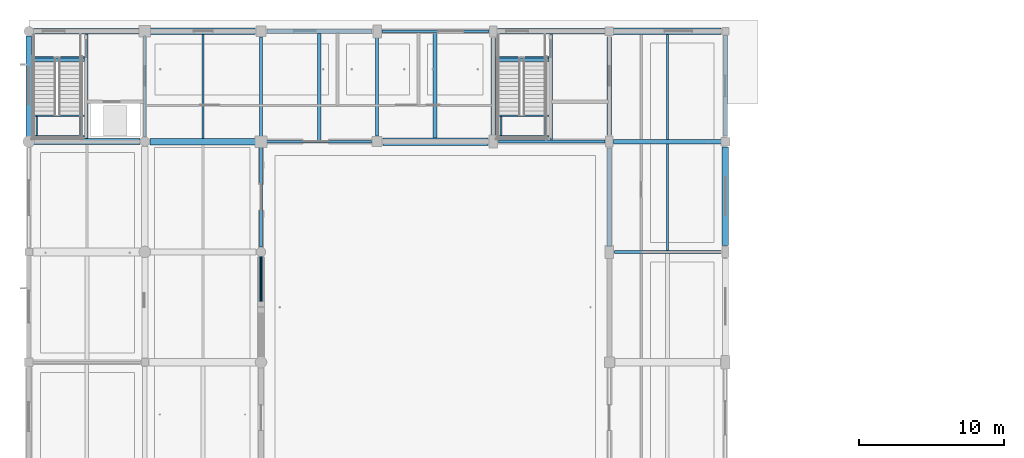
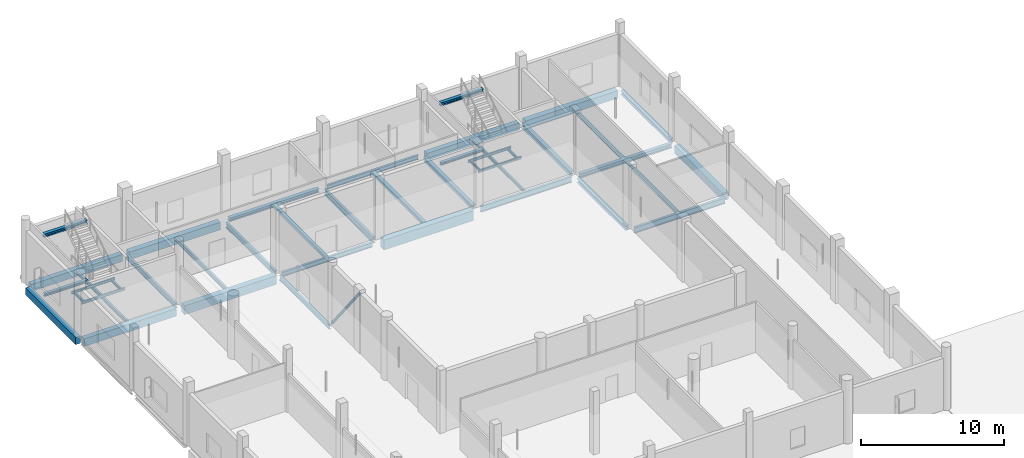
# One storey, part 28 of 126: 42 beams, 1 member.
"""IFC4 building model written with IfcOpenShell, lengths in metres."""

import ifcopenshell
import ifcopenshell.guid

model = None  # the IFC model being written
_history = None  # IfcOwnerHistory: only IFC2X3 demands one
_inside = {}  # id of a spatial element -> (the spatial element, [elements in it])
_under = {}  # id of a project, library or spatial element -> (it, [spatial elements below it])
_declared = {}  # id of a project -> (the project, [libraries it declares])
_typed = {}  # id of a type object -> (the type object, [elements of that type])
_made_of = {}  # id of a material, layer set ... -> (it, [elements and type objects made of it])


def new_model(schema):
    """Start an empty IFC model of exactly this schema.

    Asked for "IFC4X3", IfcOpenShell would pick the latest addendum, in which some entities
    have other attributes; the version numbers below select the first issue.
    IFC2X3 requires an IfcOwnerHistory on every rooted entity: one is made here for all.
    """
    global model, _history
    if schema == "IFC4X3":
        model = ifcopenshell.file(schema_version=(4, 3, 0, 0))
    else:
        model = ifcopenshell.file(schema=schema)
    _inside.clear()
    _under.clear()
    _declared.clear()
    _typed.clear()
    _made_of.clear()
    _history = None
    if model.schema == "IFC2X3":
        org = make("IfcOrganization", Name="unknown")
        user = make(
            "IfcPersonAndOrganization",
            ThePerson=make("IfcPerson", FamilyName="unknown"),
            TheOrganization=org,
        )
        app = make(
            "IfcApplication",
            ApplicationDeveloper=org,
            Version="unknown",
            ApplicationFullName="unknown",
            ApplicationIdentifier="unknown",
        )
        _history = make(
            "IfcOwnerHistory",
            OwningUser=user,
            OwningApplication=app,
            ChangeAction="ADDED",
            CreationDate=0,
        )
    return model


def make(cls, **values):
    """One entity of the class cls with the attributes given. An attribute that is None is left unset."""
    return model.create_entity(
        cls, **{name: value for name, value in values.items() if value is not None}
    )


def rooted(cls, **values):
    """An entity with a GlobalId (a new one), such as an element, a storey or a relation."""
    return make(cls, GlobalId=ifcopenshell.guid.new(), OwnerHistory=_history, **values)


def si_unit(unit_type, name, prefix=None):
    """IfcSIUnit, for example si_unit("LENGTHUNIT", "METRE", prefix="MILLI")."""
    return make("IfcSIUnit", UnitType=unit_type, Prefix=prefix, Name=name)


def assignment(units):
    """IfcUnitAssignment: the units of a project."""
    return None if units is None else make("IfcUnitAssignment", Units=units)


def point(xyz):
    """IfcCartesianPoint."""
    return None if xyz is None else make("IfcCartesianPoint", Coordinates=xyz)


def direction(xyz):
    """IfcDirection."""
    return None if xyz is None else make("IfcDirection", DirectionRatios=xyz)


def frame(location, z_axis=None, x_axis=None):
    """IfcAxis2Placement3D, a coordinate frame: its origin and axes. An axis left out is left unset."""
    return make(
        "IfcAxis2Placement3D",
        Location=point(location),
        Axis=direction(z_axis),
        RefDirection=direction(x_axis),
    )


def frame_2d(location, x_axis=None):
    """IfcAxis2Placement2D, a coordinate frame in the plane: its origin and x axis."""
    return make(
        "IfcAxis2Placement2D", Location=point(location), RefDirection=direction(x_axis)
    )


def origin():
    """The frame at (0, 0, 0) with its axes left unset."""
    return frame((0.0, 0.0, 0.0))


def origin_2d():
    """The frame at (0, 0) in the plane with its x axis left unset."""
    return frame_2d((0.0, 0.0))


def place(relative_to, where):
    """IfcLocalPlacement: puts the frame where relative to a parent placement (None: the world)."""
    return make(
        "IfcLocalPlacement", PlacementRelTo=relative_to, RelativePlacement=where
    )


def context(
    kind, dimensions, precision=None, world=None, true_north=None, identifier=None
):
    """IfcGeometricRepresentationContext, for example the 3D "Model" context."""
    return make(
        "IfcGeometricRepresentationContext",
        ContextIdentifier=identifier,
        ContextType=kind,
        CoordinateSpaceDimension=dimensions,
        Precision=precision,
        WorldCoordinateSystem=world,
        TrueNorth=true_north,
    )


def subcontext(parent, identifier, kind, view, scale=None):
    """IfcGeometricRepresentationSubContext, for example "Body" below "Model"."""
    return make(
        "IfcGeometricRepresentationSubContext",
        ContextIdentifier=identifier,
        ContextType=kind,
        ParentContext=parent,
        TargetScale=scale,
        TargetView=view,
    )


def project(units=None, contexts=None):
    """IfcProject with its units and contexts."""
    return rooted(
        "IfcProject",
        Name="project",
        RepresentationContexts=contexts,
        UnitsInContext=assignment(units),
    )


def spatial(cls, under=None, at=None, **own):
    """A site, building, storey or space (cls), placed at a placement, below another one or the project."""
    s = rooted(cls, ObjectPlacement=at, **own)
    if under is not None:
        _under.setdefault(under.id(), (under, []))[1].append(s)
    return s


def profile(cls, at=None, kind="AREA", **sizes):
    """A parametric profile (cls). Its sizes go by their IFC names, for example OverallWidth=200.0."""
    return make(cls, ProfileType=kind, Position=at, **sizes)


def rectangle(**sizes):
    """IfcRectangleProfileDef."""
    return profile("IfcRectangleProfileDef", **sizes)


def hollow_circle(**sizes):
    """IfcCircleHollowProfileDef."""
    return profile("IfcCircleHollowProfileDef", **sizes)


def i_section(**sizes):
    """IfcIShapeProfileDef."""
    return profile("IfcIShapeProfileDef", **sizes)


def extrude(swept, where, along, depth):
    """IfcExtrudedAreaSolid: the profile swept, set in the frame where, extruded along a direction by depth."""
    return make(
        "IfcExtrudedAreaSolid",
        SweptArea=swept,
        Position=where,
        ExtrudedDirection=direction(along),
        Depth=depth,
    )


def shape(context_of_items, identifier, shape_type, items):
    """IfcShapeRepresentation: the items that make up one representation, for example the "Body"."""
    return make(
        "IfcShapeRepresentation",
        ContextOfItems=context_of_items,
        RepresentationIdentifier=identifier,
        RepresentationType=shape_type,
        Items=items,
    )


def material(Name=None, Category=None):
    """IfcMaterial."""
    return make("IfcMaterial", Name=Name, Category=Category)


def material_profile(
    of_material, cross_section, Name=None, Category=None, Priority=None
):
    """IfcMaterialProfile: a cross section and its material."""
    return make(
        "IfcMaterialProfile",
        Name=Name,
        Material=of_material,
        Profile=cross_section,
        Priority=Priority,
        Category=Category,
    )


def profile_set(profiles, Name=None, composite=None):
    """IfcMaterialProfileSet."""
    return make(
        "IfcMaterialProfileSet",
        Name=Name,
        MaterialProfiles=profiles,
        CompositeProfile=composite,
    )


def made_of(thing, what):
    """Note that an element or type object is made of a material, layer set ...; save() writes the relation."""
    if what is not None:
        _made_of.setdefault(what.id(), (what, []))[1].append(thing)
    return thing


def type_object(cls, material=None, **own):
    """A type object (cls), such as IfcWallType, which elements share."""
    return made_of(rooted(cls, **own), material)


def element(
    cls,
    number,
    at=None,
    inside=None,
    cuts=None,
    type_object=None,
    material=None,
    context=None,
    identifier="Body",
    shape_type=None,
    held_by="IfcProductDefinitionShape",
    body=None,
    shapes=None,
    **own,
):
    """One element of the class cls, such as IfcWall. Its Tag is "e" and its number.

    at: its placement. inside: the storey or other place that contains it. cuts: it is an
    opening in that element (IfcRelVoidsElement). A single representation is given by context,
    identifier, shape_type and body (its items); several are given by shapes. held_by: the class
    of the entity that holds the representations. save() writes the other relations.
    """
    e = rooted(cls, Tag="e%d" % number, ObjectPlacement=at, **own)
    if body is not None:
        shapes = [shape(context, identifier, shape_type, body)]
    if shapes is not None:
        e.Representation = make(held_by, Representations=shapes)
    if inside is not None:
        _inside.setdefault(inside.id(), (inside, []))[1].append(e)
    if cuts is not None:
        rooted(
            "IfcRelVoidsElement", RelatingBuildingElement=cuts, RelatedOpeningElement=e
        )
    if type_object is not None:
        _typed.setdefault(type_object.id(), (type_object, []))[1].append(e)
    return made_of(e, material)


def aggregate(whole, parts):
    """IfcRelAggregates: a whole, such as a stair, and the parts it consists of."""
    return rooted("IfcRelAggregates", RelatingObject=whole, RelatedObjects=parts)


def save(model, path):
    """Write the relations noted so far, then the file.

    IfcRelAggregates (storeys below a building ...), IfcRelContainedInSpatialStructure (elements
    in a storey), IfcRelDefinesByType, IfcRelAssociatesMaterial and IfcRelDeclares: one each for
    every whole, place, type object, material and project.
    """
    for whole, parts in _under.values():
        aggregate(whole, parts)
    for where, things in _inside.values():
        rooted(
            "IfcRelContainedInSpatialStructure",
            RelatedElements=things,
            RelatingStructure=where,
        )
    for kind, things in _typed.values():
        rooted("IfcRelDefinesByType", RelatedObjects=things, RelatingType=kind)
    for what, things in _made_of.values():
        rooted("IfcRelAssociatesMaterial", RelatedObjects=things, RelatingMaterial=what)
    for by, libraries in _declared.values():
        rooted("IfcRelDeclares", RelatingContext=by, RelatedDefinitions=libraries)
    model.write(path)


model = new_model("IFC4")

# Units and contexts
model_context = context("Model", 3, precision=1e-05, world=origin(), true_north=direction((0.0, 1.0)))
body_context = subcontext(model_context, "Body", "Model", "MODEL_VIEW")
ifc_project = project(units=[si_unit("LENGTHUNIT", "METRE"), si_unit("AREAUNIT", "SQUARE_METRE"), si_unit("VOLUMEUNIT", "CUBIC_METRE"), si_unit("PLANEANGLEUNIT", "RADIAN"), si_unit("MASSUNIT", "GRAM", prefix="KILO")], contexts=[model_context])

# Site, building, storey
site_placement = place(None, origin())
site = spatial("IfcSite", under=ifc_project, at=site_placement, CompositionType="ELEMENT")
building_placement = place(site_placement, origin())
building = spatial("IfcBuilding", under=site, at=building_placement, Name="Khelvaren Railside Concert Hall", CompositionType="ELEMENT")
storey_placement = place(building_placement, origin())
storey = spatial("IfcBuildingStorey", under=building, at=storey_placement, Name="L00", CompositionType="ELEMENT", Elevation=0.0)

# Beams
ifc_material_1 = material(Name="Steel S355", Category="steel")
ifc_material_profile_1 = material_profile(ifc_material_1, i_section(OverallWidth=0.300048828125, OverallDepth=0.389892578125, WebThickness=0.010986328125, FlangeThickness=0.01904296875, FilletRadius=0.027099609375, at=origin_2d()), Name="HEA 400")
ifc_profile_set_1 = profile_set([ifc_material_profile_1], Name="Steel S355")
beam_type_1 = type_object("IfcBeamType", Name="BM23", PredefinedType="BEAM", material=ifc_profile_set_1)
beam_1_placement = place(storey_placement, frame((40.0, 106.85009765625, -0.514892578125), z_axis=(0.0, 1.0, 0.0), x_axis=(-1.0, 0.0, 0.0)))
element("IfcBeam", 1, at=beam_1_placement, inside=storey, type_object=beam_type_1, Name="V4 L00 Beam Y6.6", PredefinedType="BEAM", context=body_context, shape_type="SweptSolid", body=[
    extrude(i_section(OverallWidth=0.300048828125, OverallDepth=0.389892578125, WebThickness=0.010986328125, FlangeThickness=0.01904296875, FilletRadius=0.027099609375, at=origin_2d()), origin(), (0.0, 0.0, 1.0), 6.77490234375),
])
ifc_material_profile_2 = material_profile(ifc_material_1, i_section(OverallWidth=0.179931640625, OverallDepth=0.39990234375, WebThickness=0.008544921875, FlangeThickness=0.013427734375, FilletRadius=0.02099609375, at=origin_2d()), Name="IPE 400")
ifc_profile_set_2 = profile_set([ifc_material_profile_2], Name="Steel S355")
beam_type_2 = type_object("IfcBeamType", Name="BM29", PredefinedType="BEAM", material=ifc_profile_set_2)
beam_2_placement = place(storey_placement, frame((16.27294921875, 106.39990234375, -0.52001953125), z_axis=(1.0, 0.0, 0.0), x_axis=(0.0, 1.0, 0.0)))
element("IfcBeam", 2, at=beam_2_placement, inside=storey, type_object=beam_type_2, Name="V4 L00 Beam X6.3", PredefinedType="BEAM", context=body_context, shape_type="SweptSolid", body=[
    extrude(i_section(OverallWidth=0.179931640625, OverallDepth=0.39990234375, WebThickness=0.008544921875, FlangeThickness=0.013427734375, FilletRadius=0.02099609375, at=origin_2d()), origin(), (0.0, 0.0, 1.0), 7.3271484375),
])
for number, where, z_axis, x_axis, name in (
    (3, (8.0, 106.736083984375, -0.52001953125), (0.0, 1.0, 0.0), (-1.0, 0.0, 0.0), "V4 L00 Beam Y2.6"),
    (4, (16.0, 99.135986328125, -0.52001953125), (0.0, 1.0, 0.0), (-1.0, 0.0, 0.0), "V4 L00 Beam Y3.5"),
):
    element("IfcBeam", number, at=place(storey_placement, frame(where, z_axis=z_axis, x_axis=x_axis)), inside=storey, type_object=beam_type_2, Name=name, PredefinedType="BEAM", context=body_context, shape_type="SweptSolid", body=[
        extrude(i_section(OverallWidth=0.179931640625, OverallDepth=0.39990234375, WebThickness=0.008544921875, FlangeThickness=0.013427734375, FilletRadius=0.02099609375, at=origin_2d()), origin(), (0.0, 0.0, 1.0), 6.990966796875),
    ])
ifc_material_2 = material(Name="Concrete C40/50", Category="concrete")
ifc_material_profile_3 = material_profile(ifc_material_2, rectangle(XDim=0.39990234375, YDim=0.64990234375, at=origin_2d()), Name="RCB 400x650")
ifc_profile_set_3 = profile_set([ifc_material_profile_3], Name="Concrete C40/50")
beam_type_3 = type_object("IfcBeamType", Name="BM33", PredefinedType="BEAM", material=ifc_profile_set_3)
beam_3_placement = place(storey_placement, frame((0.25, 106.39990234375, -0.64501953125), z_axis=(1.0, 0.0, 0.0), x_axis=(0.0, 1.0, 0.0)))
element("IfcBeam", 5, at=beam_3_placement, inside=storey, type_object=beam_type_3, Name="V4 L00 Beam X6.1", PredefinedType="BEAM", context=body_context, shape_type="SweptSolid", body=[
    extrude(rectangle(XDim=0.39990234375, YDim=0.64990234375, at=origin_2d()), origin(), (0.0, 0.0, 1.0), 7.4140625),
])
ifc_material_profile_4 = material_profile(ifc_material_1, i_section(OverallWidth=0.239990234375, OverallDepth=0.22998046875, WebThickness=0.007568359375, FlangeThickness=0.011962890625, FilletRadius=0.02099609375, at=origin_2d()), Name="HEA 240")
ifc_profile_set_4 = profile_set([ifc_material_profile_4], Name="Steel S355")
beam_type_4 = type_object("IfcBeamType", Name="BM42", PredefinedType="BEAM", material=ifc_profile_set_4)
for number, where, z_axis, x_axis, name in (
    (6, (0.344970703125, 112.039306640625, -0.114990234375), (1.0, 0.0, 0.0), (0.0, 1.0, 0.0), "ST-07 L00 Stair Foot Trimmer Beam"),
    (7, (32.344970703125, 112.039306640625, -0.114990234375), (1.0, 0.0, 0.0), (0.0, 1.0, 0.0), "ST-08 L00 Stair Foot Trimmer Beam"),
):
    element("IfcBeam", number, at=place(storey_placement, frame(where, z_axis=z_axis, x_axis=x_axis)), inside=storey, type_object=beam_type_4, Name=name, PredefinedType="BEAM", context=body_context, shape_type="SweptSolid", body=[
        extrude(i_section(OverallWidth=0.239990234375, OverallDepth=0.22998046875, WebThickness=0.007568359375, FlangeThickness=0.011962890625, FilletRadius=0.02099609375, at=origin_2d()), origin(), (0.0, 0.0, 1.0), 3.4951171875),
    ])
ifc_material_profile_5 = material_profile(ifc_material_1, i_section(OverallWidth=0.199951171875, OverallDepth=0.5, WebThickness=0.01025390625, FlangeThickness=0.01611328125, FilletRadius=0.02099609375, at=origin_2d()), Name="IPE 500")
ifc_profile_set_5 = profile_set([ifc_material_profile_5], Name="Steel S355")
beam_type_5 = type_object("IfcBeamType", Name="BM62", PredefinedType="BEAM", material=ifc_profile_set_5)
for number, where, z_axis, x_axis, name in (
    (8, (40.35009765625, 98.800048828125, -0.570068359375), (1.0, 0.0, 0.0), (0.0, 1.0, 0.0), "V4 L00 Beam X5.6"),
    (9, (32.35009765625, 106.39990234375, -0.570068359375), (1.0, 0.0, 0.0), (0.0, 1.0, 0.0), "V4 L00 Beam X6.5"),
):
    element("IfcBeam", number, at=place(storey_placement, frame(where, z_axis=z_axis, x_axis=x_axis)), inside=storey, type_object=beam_type_5, Name=name, PredefinedType="BEAM", context=body_context, shape_type="SweptSolid", body=[
        extrude(i_section(OverallWidth=0.199951171875, OverallDepth=0.5, WebThickness=0.01025390625, FlangeThickness=0.01611328125, FilletRadius=0.02099609375, at=origin_2d()), origin(), (0.0, 0.0, 1.0), 7.349853515625),
    ])
beam_4_placement = place(storey_placement, frame((24.0, 106.800048828125, -0.570068359375), z_axis=(0.0, 1.0, 0.0), x_axis=(-1.0, 0.0, 0.0)))
element("IfcBeam", 10, at=beam_4_placement, inside=storey, type_object=beam_type_5, Name="V4 L00 Beam Y4.6", PredefinedType="BEAM", context=body_context, shape_type="SweptSolid", body=[
    extrude(i_section(OverallWidth=0.199951171875, OverallDepth=0.5, WebThickness=0.01025390625, FlangeThickness=0.01611328125, FilletRadius=0.02099609375, at=origin_2d()), origin(), (0.0, 0.0, 1.0), 6.849853515625),
])
ifc_material_profile_6 = material_profile(ifc_material_1, i_section(OverallWidth=0.300048828125, OverallDepth=0.35009765625, WebThickness=0.010009765625, FlangeThickness=0.017578125, FilletRadius=0.027099609375, at=origin_2d()), Name="HEA 360")
ifc_profile_set_6 = profile_set([ifc_material_profile_6], Name="Steel S355")
beam_type_6 = type_object("IfcBeamType", Name="BM73", PredefinedType="BEAM", material=ifc_profile_set_6)
beam_5_placement = place(storey_placement, frame((40.300048828125, 106.39990234375, -0.4951171875), z_axis=(1.0, 0.0, 0.0), x_axis=(0.0, 1.0, 0.0)))
element("IfcBeam", 11, at=beam_5_placement, inside=storey, type_object=beam_type_6, Name="V4 L00 Beam X6.6", PredefinedType="BEAM", context=body_context, shape_type="SweptSolid", body=[
    extrude(i_section(OverallWidth=0.300048828125, OverallDepth=0.35009765625, WebThickness=0.010009765625, FlangeThickness=0.017578125, FilletRadius=0.027099609375, at=origin_2d()), origin(), (0.0, 0.0, 1.0), 7.449951171875),
])
for number, where, z_axis, x_axis, name in (
    (12, (32.0, 106.75, -0.4951171875), (0.0, 1.0, 0.0), (-1.0, 0.0, 0.0), "V4 L00 Beam Y5.6"),
    (13, (40.0, 99.14990234375, -0.4951171875), (0.0, 1.0, 0.0), (-1.0, 0.0, 0.0), "V4 L00 Beam Y6.5"),
):
    element("IfcBeam", number, at=place(storey_placement, frame(where, z_axis=z_axis, x_axis=x_axis)), inside=storey, type_object=beam_type_6, Name=name, PredefinedType="BEAM", context=body_context, shape_type="SweptSolid", body=[
        extrude(i_section(OverallWidth=0.300048828125, OverallDepth=0.35009765625, WebThickness=0.010009765625, FlangeThickness=0.017578125, FilletRadius=0.027099609375, at=origin_2d()), origin(), (0.0, 0.0, 1.0), 6.800048828125),
    ])
ifc_material_profile_7 = material_profile(ifc_material_2, rectangle(XDim=0.449951171875, YDim=0.75, at=origin_2d()), Name="RCB 450x750")
ifc_profile_set_7 = profile_set([ifc_material_profile_7], Name="Concrete C40/50")
beam_type_7 = type_object("IfcBeamType", Name="BM83", PredefinedType="BEAM", material=ifc_profile_set_7)
beam_6_placement = place(storey_placement, frame((8.3359375, 106.39990234375, -0.695068359375), z_axis=(1.0, 0.0, 0.0), x_axis=(0.0, 1.0, 0.0)))
element("IfcBeam", 14, at=beam_6_placement, inside=storey, type_object=beam_type_7, Name="V4 L00 Beam X6.2", PredefinedType="BEAM", context=body_context, shape_type="SweptSolid", body=[
    extrude(rectangle(XDim=0.449951171875, YDim=0.75, at=origin_2d()), origin(), (0.0, 0.0, 1.0), 7.39111328125),
])
ifc_material_profile_8 = material_profile(ifc_material_1, i_section(OverallWidth=0.110107421875, OverallDepth=0.219970703125, WebThickness=0.005859375, FlangeThickness=0.00927734375, FilletRadius=0.011962890625, at=origin_2d()), Name="IPE 220")
ifc_profile_set_8 = profile_set([ifc_material_profile_8], Name="Steel S355")
beam_type_8 = type_object("IfcBeamType", Name="BM87", PredefinedType="BEAM", material=ifc_profile_set_8)
for number, where, z_axis, x_axis, name in (
    (15, (0.344970703125, 108.175048828125, 2.389892578125), (1.0, 0.0, 0.0), (0.0, 1.0, 0.0), "ST-07 L00 Half-Landing Front Beam"),
    (16, (0.344970703125, 106.760009765625, 2.389892578125), (1.0, 0.0, 0.0), (0.0, 1.0, 0.0), "ST-07 L00 Half-Landing Rear Beam"),
):
    element("IfcBeam", number, at=place(storey_placement, frame(where, z_axis=z_axis, x_axis=x_axis)), inside=storey, type_object=beam_type_8, Name=name, PredefinedType="BEAM", context=body_context, shape_type="SweptSolid", body=[
        extrude(i_section(OverallWidth=0.110107421875, OverallDepth=0.219970703125, WebThickness=0.005859375, FlangeThickness=0.00927734375, FilletRadius=0.011962890625, at=origin_2d()), origin(), (0.0, 0.0, 1.0), 3.4951171875),
    ])
for number, where, z_axis, x_axis, name in (
    (17, (0.550048828125, 106.81494140625, 2.389892578125), (0.0, 1.0, 0.0), (-1.0, 0.0, 0.0), "ST-07 L00 Half-Landing Side Tie W"),
    (18, (3.550048828125, 106.81494140625, 2.389892578125), (0.0, 1.0, 0.0), (-1.0, 0.0, 0.0), "ST-07 L00 Half-Landing Side Tie E"),
):
    element("IfcBeam", number, at=place(storey_placement, frame(where, z_axis=z_axis, x_axis=x_axis)), inside=storey, type_object=beam_type_8, Name=name, PredefinedType="BEAM", context=body_context, shape_type="SweptSolid", body=[
        extrude(i_section(OverallWidth=0.110107421875, OverallDepth=0.219970703125, WebThickness=0.005859375, FlangeThickness=0.00927734375, FilletRadius=0.011962890625, at=origin_2d()), origin(), (0.0, 0.0, 1.0), 1.30517578125),
    ])
for number, where, z_axis, x_axis, name in (
    (19, (32.344970703125, 108.175048828125, 2.389892578125), (1.0, 0.0, 0.0), (0.0, 1.0, 0.0), "ST-08 L00 Half-Landing Front Beam"),
    (20, (32.344970703125, 106.760009765625, 2.389892578125), (1.0, 0.0, 0.0), (0.0, 1.0, 0.0), "ST-08 L00 Half-Landing Rear Beam"),
):
    element("IfcBeam", number, at=place(storey_placement, frame(where, z_axis=z_axis, x_axis=x_axis)), inside=storey, type_object=beam_type_8, Name=name, PredefinedType="BEAM", context=body_context, shape_type="SweptSolid", body=[
        extrude(i_section(OverallWidth=0.110107421875, OverallDepth=0.219970703125, WebThickness=0.005859375, FlangeThickness=0.00927734375, FilletRadius=0.011962890625, at=origin_2d()), origin(), (0.0, 0.0, 1.0), 3.4951171875),
    ])
for number, where, z_axis, x_axis, name in (
    (21, (32.550048828125, 106.81494140625, 2.389892578125), (0.0, 1.0, 0.0), (-1.0, 0.0, 0.0), "ST-08 L00 Half-Landing Side Tie W"),
    (22, (35.550048828125, 106.81494140625, 2.389892578125), (0.0, 1.0, 0.0), (-1.0, 0.0, 0.0), "ST-08 L00 Half-Landing Side Tie E"),
):
    element("IfcBeam", number, at=place(storey_placement, frame(where, z_axis=z_axis, x_axis=x_axis)), inside=storey, type_object=beam_type_8, Name=name, PredefinedType="BEAM", context=body_context, shape_type="SweptSolid", body=[
        extrude(i_section(OverallWidth=0.110107421875, OverallDepth=0.219970703125, WebThickness=0.005859375, FlangeThickness=0.00927734375, FilletRadius=0.011962890625, at=origin_2d()), origin(), (0.0, 0.0, 1.0), 1.30517578125),
    ])
ifc_material_profile_9 = material_profile(ifc_material_1, i_section(OverallWidth=0.280029296875, OverallDepth=0.27001953125, WebThickness=0.008056640625, FlangeThickness=0.012939453125, FilletRadius=0.02392578125, at=origin_2d()), Name="HEA 280")
ifc_profile_set_9 = profile_set([ifc_material_profile_9], Name="Steel S355")
beam_type_9 = type_object("IfcBeamType", Name="BM93", PredefinedType="BEAM", material=ifc_profile_set_9)
for number, where, z_axis, x_axis, name in (
    (23, (0.344970703125, 112.139892578125, 4.90673828125), (1.0, 0.0, 0.0), (0.0, 1.0, 0.0), "ST-07 L00 Stair Top Arrival Trimmer Beam"),
    (24, (32.344970703125, 112.139892578125, 4.90673828125), (1.0, 0.0, 0.0), (0.0, 1.0, 0.0), "ST-08 L00 Stair Top Arrival Trimmer Beam"),
):
    element("IfcBeam", number, at=place(storey_placement, frame(where, z_axis=z_axis, x_axis=x_axis)), inside=storey, type_object=beam_type_9, Name=name, PredefinedType="BEAM", context=body_context, shape_type="SweptSolid", body=[
        extrude(i_section(OverallWidth=0.280029296875, OverallDepth=0.27001953125, WebThickness=0.008056640625, FlangeThickness=0.012939453125, FilletRadius=0.02392578125, at=origin_2d()), origin(), (0.0, 0.0, 1.0), 3.4951171875),
    ])
ifc_material_profile_10 = material_profile(ifc_material_1, i_section(OverallWidth=0.18994140625, OverallDepth=0.449951171875, WebThickness=0.009521484375, FlangeThickness=0.0146484375, FilletRadius=0.02099609375, at=origin_2d()), Name="IPE 450")
ifc_profile_set_10 = profile_set([ifc_material_profile_10], Name="Steel S355")
beam_type_10 = type_object("IfcBeamType", Name="BM95", PredefinedType="BEAM", material=ifc_profile_set_10)
beam_7_placement = place(storey_placement, frame((16.0, 106.673095703125, -0.544921875), z_axis=(0.0, 1.0, 0.0), x_axis=(-1.0, 0.0, 0.0)))
element("IfcBeam", 25, at=beam_7_placement, inside=storey, type_object=beam_type_10, Name="V4 L00 Beam Y3.6", PredefinedType="BEAM", context=body_context, shape_type="SweptSolid", body=[
    extrude(i_section(OverallWidth=0.18994140625, OverallDepth=0.449951171875, WebThickness=0.009521484375, FlangeThickness=0.0146484375, FilletRadius=0.02099609375, at=origin_2d()), origin(), (0.0, 0.0, 1.0), 6.927001953125),
])

# Member
ifc_material_profile_11 = material_profile(ifc_material_1, hollow_circle(Radius=0.109619140625, WallThickness=0.012451171875, at=origin_2d()), Name="CHS 219.1x12.5")
ifc_profile_set_11 = profile_set([ifc_material_profile_11], Name="Steel S355")
member_type = type_object("IfcMemberType", Name="BR37", PredefinedType="BRACE", material=ifc_profile_set_11)
member_placement = place(storey_placement, frame((16.0, 98.800048828125, 0.050048828125), z_axis=(0.0, -0.620703965791, 0.784045015832), x_axis=(1.0, 0.0, 0.0)))
element("IfcMember", 26, at=member_placement, inside=storey, type_object=member_type, Name="V4 L00 Seismic Chevron Brace 42", PredefinedType="BRACE", context=body_context, shape_type="SweptSolid", body=[
    extrude(hollow_circle(Radius=0.109619140625, WallThickness=0.012451171875, at=origin_2d()), origin(), (0.0, 0.0, 1.0), 6.1220703125),
])

# Beams
ifc_material_profile_12 = material_profile(ifc_material_2, rectangle(XDim=0.5, YDim=0.85009765625, at=origin_2d()), Name="RCB 500x850")
ifc_profile_set_12 = profile_set([ifc_material_profile_12], Name="Concrete C40/50")
beam_type_11 = type_object("IfcBeamType", Name="GR96", PredefinedType="T_BEAM", material=ifc_profile_set_12)
beam_8_placement = place(storey_placement, frame((24.39990234375, 106.39990234375, -0.7451171875), z_axis=(1.0, 0.0, 0.0), x_axis=(0.0, 1.0, 0.0)))
element("IfcBeam", 27, at=beam_8_placement, inside=storey, type_object=beam_type_11, Name="V4 L00 T_Beam X6.4", PredefinedType="T_BEAM", context=body_context, shape_type="SweptSolid", body=[
    extrude(rectangle(XDim=0.5, YDim=0.85009765625, at=origin_2d()), origin(), (0.0, 0.0, 1.0), 7.25),
])
ifc_material_profile_13 = material_profile(ifc_material_1, i_section(OverallWidth=0.14990234375, OverallDepth=0.300048828125, WebThickness=0.007080078125, FlangeThickness=0.0107421875, FilletRadius=0.014892578125, at=origin_2d()), Name="IPE 300")
ifc_profile_set_13 = profile_set([ifc_material_profile_13], Name="Steel S355")
beam_type_12 = type_object("IfcBeamType", Name="JS26", PredefinedType="JOIST", material=ifc_profile_set_13)
beam_9_placement = place(storey_placement, frame((4.0, 106.60009765625, -0.469970703125), z_axis=(0.0, 1.0, 0.0), x_axis=(-1.0, 0.0, 0.0)))
element("IfcBeam", 28, at=beam_9_placement, inside=storey, type_object=beam_type_12, Name="V4 L00 Secondary Joist 1.6", PredefinedType="JOIST", context=body_context, shape_type="SweptSolid", body=[
    extrude(i_section(OverallWidth=0.14990234375, OverallDepth=0.300048828125, WebThickness=0.007080078125, FlangeThickness=0.0107421875, FilletRadius=0.014892578125, at=origin_2d()), origin(), (0.0, 0.0, 1.0), 7.199951171875),
])
beam_10_placement = place(storey_placement, frame((44.0, 106.550048828125, -0.469970703125), z_axis=(0.0, 1.0, 0.0), x_axis=(-1.0, 0.0, 0.0)))
element("IfcBeam", 29, at=beam_10_placement, inside=storey, type_object=beam_type_12, Name="V4 L00 Secondary Joist 6.6", PredefinedType="JOIST", context=body_context, shape_type="SweptSolid", body=[
    extrude(i_section(OverallWidth=0.14990234375, OverallDepth=0.300048828125, WebThickness=0.007080078125, FlangeThickness=0.0107421875, FilletRadius=0.014892578125, at=origin_2d()), origin(), (0.0, 0.0, 1.0), 7.224853515625),
])
ifc_material_profile_14 = material_profile(ifc_material_1, i_section(OverallWidth=0.280029296875, OverallDepth=0.27001953125, WebThickness=0.008056640625, FlangeThickness=0.012939453125, FilletRadius=0.02392578125, at=origin_2d()), Name="HEA 280")
ifc_profile_set_14 = profile_set([ifc_material_profile_14], Name="Steel S355")
beam_type_13 = type_object("IfcBeamType", Name="JS46", PredefinedType="JOIST", material=ifc_profile_set_14)
beam_11_placement = place(storey_placement, frame((28.0, 106.64990234375, -0.455078125), z_axis=(0.0, 1.0, 0.0), x_axis=(-1.0, 0.0, 0.0)))
element("IfcBeam", 30, at=beam_11_placement, inside=storey, type_object=beam_type_13, Name="V4 L00 Secondary Joist 4.6", PredefinedType="JOIST", context=body_context, shape_type="SweptSolid", body=[
    extrude(i_section(OverallWidth=0.280029296875, OverallDepth=0.27001953125, WebThickness=0.008056640625, FlangeThickness=0.012939453125, FilletRadius=0.02392578125, at=origin_2d()), origin(), (0.0, 0.0, 1.0), 7.26513671875),
])
ifc_material_profile_15 = material_profile(ifc_material_1, i_section(OverallWidth=0.159912109375, OverallDepth=0.330078125, WebThickness=0.007568359375, FlangeThickness=0.011474609375, FilletRadius=0.01806640625, at=origin_2d()), Name="IPE 330")
ifc_profile_set_15 = profile_set([ifc_material_profile_15], Name="Steel S355")
beam_type_14 = type_object("IfcBeamType", Name="JS65", PredefinedType="JOIST", material=ifc_profile_set_15)
beam_12_placement = place(storey_placement, frame((12.0, 106.625, -0.485107421875), z_axis=(0.0, 1.0, 0.0), x_axis=(-1.0, 0.0, 0.0)))
element("IfcBeam", 31, at=beam_12_placement, inside=storey, type_object=beam_type_14, Name="V4 L00 Secondary Joist 2.6", PredefinedType="JOIST", context=body_context, shape_type="SweptSolid", body=[
    extrude(i_section(OverallWidth=0.159912109375, OverallDepth=0.330078125, WebThickness=0.007568359375, FlangeThickness=0.011474609375, FilletRadius=0.01806640625, at=origin_2d()), origin(), (0.0, 0.0, 1.0), 7.14990234375),
])
ifc_material_profile_16 = material_profile(ifc_material_1, i_section(OverallWidth=0.239990234375, OverallDepth=0.22998046875, WebThickness=0.007568359375, FlangeThickness=0.011962890625, FilletRadius=0.02099609375, at=origin_2d()), Name="HEA 240")
ifc_profile_set_16 = profile_set([ifc_material_profile_16], Name="Steel S355")
beam_type_15 = type_object("IfcBeamType", Name="JS76", PredefinedType="JOIST", material=ifc_profile_set_16)
beam_13_placement = place(storey_placement, frame((20.0, 106.489990234375, -0.43505859375), z_axis=(0.0, 1.0, 0.0), x_axis=(-1.0, 0.0, 0.0)))
element("IfcBeam", 32, at=beam_13_placement, inside=storey, type_object=beam_type_15, Name="V4 L00 Secondary Joist 3.6", PredefinedType="JOIST", context=body_context, shape_type="SweptSolid", body=[
    extrude(i_section(OverallWidth=0.239990234375, OverallDepth=0.22998046875, WebThickness=0.007568359375, FlangeThickness=0.011962890625, FilletRadius=0.02099609375, at=origin_2d()), origin(), (0.0, 0.0, 1.0), 7.360107421875),
])
ifc_material_profile_17 = material_profile(ifc_material_1, i_section(OverallWidth=0.135009765625, OverallDepth=0.27001953125, WebThickness=0.006591796875, FlangeThickness=0.01025390625, FilletRadius=0.014892578125, at=origin_2d()), Name="IPE 270")
ifc_profile_set_17 = profile_set([ifc_material_profile_17], Name="Steel S355")
beam_type_16 = type_object("IfcBeamType", Name="JS78", PredefinedType="JOIST", material=ifc_profile_set_17)
beam_14_placement = place(storey_placement, frame((36.0, 106.5, -0.455078125), z_axis=(0.0, 1.0, 0.0), x_axis=(-1.0, 0.0, 0.0)))
element("IfcBeam", 33, at=beam_14_placement, inside=storey, type_object=beam_type_16, Name="V4 L00 Secondary Joist 5.6", PredefinedType="JOIST", context=body_context, shape_type="SweptSolid", body=[
    extrude(i_section(OverallWidth=0.135009765625, OverallDepth=0.27001953125, WebThickness=0.006591796875, FlangeThickness=0.01025390625, FilletRadius=0.014892578125, at=origin_2d()), origin(), (0.0, 0.0, 1.0), 7.300048828125),
])
beam_15_placement = place(storey_placement, frame((44.0, 98.89990234375, -0.455078125), z_axis=(0.0, 1.0, 0.0), x_axis=(-1.0, 0.0, 0.0)))
element("IfcBeam", 34, at=beam_15_placement, inside=storey, type_object=beam_type_16, Name="V4 L00 Secondary Joist 6.5", PredefinedType="JOIST", context=body_context, shape_type="SweptSolid", body=[
    extrude(i_section(OverallWidth=0.135009765625, OverallDepth=0.27001953125, WebThickness=0.006591796875, FlangeThickness=0.01025390625, FilletRadius=0.014892578125, at=origin_2d()), origin(), (0.0, 0.0, 1.0), 7.35009765625),
])
ifc_material_profile_18 = material_profile(ifc_material_2, rectangle(XDim=0.449951171875, YDim=0.64990234375, at=origin_2d()), Name="RCB 450x650")
ifc_profile_set_18 = profile_set([ifc_material_profile_18], Name="Concrete C40/50")
beam_type_17 = type_object("IfcBeamType", Name="SP34", PredefinedType="SPANDREL", material=ifc_profile_set_18)
beam_16_placement = place(storey_placement, frame((8.27294921875, 114.0, -0.64501953125), z_axis=(1.0, 0.0, 0.0), x_axis=(0.0, 1.0, 0.0)))
element("IfcBeam", 35, at=beam_16_placement, inside=storey, type_object=beam_type_17, Name="V4 L00 Spandrel X7.2", PredefinedType="SPANDREL", context=body_context, shape_type="SweptSolid", body=[
    extrude(rectangle(XDim=0.449951171875, YDim=0.64990234375, at=origin_2d()), origin(), (0.0, 0.0, 1.0), 7.3271484375),
])
beam_17_placement = place(storey_placement, frame((40.25, 114.0, -0.64501953125), z_axis=(1.0, 0.0, 0.0), x_axis=(0.0, 1.0, 0.0)))
element("IfcBeam", 36, at=beam_17_placement, inside=storey, type_object=beam_type_17, Name="V4 L00 Spandrel X7.6", PredefinedType="SPANDREL", context=body_context, shape_type="SweptSolid", body=[
    extrude(rectangle(XDim=0.449951171875, YDim=0.64990234375, at=origin_2d()), origin(), (0.0, 0.0, 1.0), 7.449951171875),
])
beam_18_placement = place(storey_placement, frame((48.0, 99.25, -0.64501953125), z_axis=(0.0, 1.0, 0.0), x_axis=(-1.0, 0.0, 0.0)))
element("IfcBeam", 37, at=beam_18_placement, inside=storey, type_object=beam_type_17, Name="V4 L00 Spandrel Y7.5", PredefinedType="SPANDREL", context=body_context, shape_type="SweptSolid", body=[
    extrude(rectangle(XDim=0.449951171875, YDim=0.64990234375, at=origin_2d()), origin(), (0.0, 0.0, 1.0), 6.77490234375),
])
ifc_material_profile_19 = material_profile(ifc_material_1, i_section(OverallWidth=0.300048828125, OverallDepth=0.31005859375, WebThickness=0.009033203125, FlangeThickness=0.015380859375, FilletRadius=0.027099609375, at=origin_2d()), Name="HEA 320")
ifc_profile_set_19 = profile_set([ifc_material_profile_19], Name="Steel S355")
beam_type_18 = type_object("IfcBeamType", Name="SP66", PredefinedType="SPANDREL", material=ifc_profile_set_19)
beam_19_placement = place(storey_placement, frame((16.39990234375, 114.0, -0.47509765625), z_axis=(1.0, 0.0, 0.0), x_axis=(0.0, 1.0, 0.0)))
element("IfcBeam", 38, at=beam_19_placement, inside=storey, type_object=beam_type_18, Name="V4 L00 Spandrel X7.3", PredefinedType="SPANDREL", context=body_context, shape_type="SweptSolid", body=[
    extrude(i_section(OverallWidth=0.300048828125, OverallDepth=0.31005859375, WebThickness=0.009033203125, FlangeThickness=0.015380859375, FilletRadius=0.027099609375, at=origin_2d()), origin(), (0.0, 0.0, 1.0), 7.25),
])
beam_20_placement = place(storey_placement, frame((48.0, 106.77490234375, -0.47509765625), z_axis=(0.0, 1.0, 0.0), x_axis=(-1.0, 0.0, 0.0)))
element("IfcBeam", 39, at=beam_20_placement, inside=storey, type_object=beam_type_18, Name="V4 L00 Spandrel Y7.6", PredefinedType="SPANDREL", context=body_context, shape_type="SweptSolid", body=[
    extrude(i_section(OverallWidth=0.300048828125, OverallDepth=0.31005859375, WebThickness=0.009033203125, FlangeThickness=0.015380859375, FilletRadius=0.027099609375, at=origin_2d()), origin(), (0.0, 0.0, 1.0), 6.925048828125),
])
ifc_material_profile_20 = material_profile(ifc_material_1, i_section(OverallWidth=0.169921875, OverallDepth=0.360107421875, WebThickness=0.008056640625, FlangeThickness=0.0126953125, FilletRadius=0.01806640625, at=origin_2d()), Name="IPE 360")
ifc_profile_set_20 = profile_set([ifc_material_profile_20], Name="Steel S355")
beam_type_19 = type_object("IfcBeamType", Name="SP74", PredefinedType="SPANDREL", material=ifc_profile_set_20)
beam_21_placement = place(storey_placement, frame((24.35009765625, 114.0, -0.5), z_axis=(1.0, 0.0, 0.0), x_axis=(0.0, 1.0, 0.0)))
element("IfcBeam", 40, at=beam_21_placement, inside=storey, type_object=beam_type_19, Name="V4 L00 Spandrel X7.4", PredefinedType="SPANDREL", context=body_context, shape_type="SweptSolid", body=[
    extrude(i_section(OverallWidth=0.169921875, OverallDepth=0.360107421875, WebThickness=0.008056640625, FlangeThickness=0.0126953125, FilletRadius=0.01806640625, at=origin_2d()), origin(), (0.0, 0.0, 1.0), 7.349853515625),
])
ifc_material_profile_21 = material_profile(ifc_material_2, rectangle(XDim=0.39990234375, YDim=0.60009765625, at=origin_2d()), Name="RCB 400x600")
ifc_profile_set_21 = profile_set([ifc_material_profile_21], Name="Concrete C40/50")
beam_type_20 = type_object("IfcBeamType", Name="SP75", PredefinedType="SPANDREL", material=ifc_profile_set_21)
beam_22_placement = place(storey_placement, frame((0.3359375, 114.0, -0.6201171875), z_axis=(1.0, 0.0, 0.0), x_axis=(0.0, 1.0, 0.0)))
element("IfcBeam", 41, at=beam_22_placement, inside=storey, type_object=beam_type_20, Name="V4 L00 Spandrel X7.1", PredefinedType="SPANDREL", context=body_context, shape_type="SweptSolid", body=[
    extrude(rectangle(XDim=0.39990234375, YDim=0.60009765625, at=origin_2d()), origin(), (0.0, 0.0, 1.0), 7.39111328125),
])
beam_23_placement = place(storey_placement, frame((32.300048828125, 114.0, -0.6201171875), z_axis=(1.0, 0.0, 0.0), x_axis=(0.0, 1.0, 0.0)))
element("IfcBeam", 42, at=beam_23_placement, inside=storey, type_object=beam_type_20, Name="V4 L00 Spandrel X7.5", PredefinedType="SPANDREL", context=body_context, shape_type="SweptSolid", body=[
    extrude(rectangle(XDim=0.39990234375, YDim=0.60009765625, at=origin_2d()), origin(), (0.0, 0.0, 1.0), 7.449951171875),
])
beam_24_placement = place(storey_placement, frame((0.0, 106.64990234375, -0.6201171875), z_axis=(0.0, 1.0, 0.0), x_axis=(-1.0, 0.0, 0.0)))
element("IfcBeam", 43, at=beam_24_placement, inside=storey, type_object=beam_type_20, Name="V4 L00 Spandrel Y1.6", PredefinedType="SPANDREL", context=body_context, shape_type="SweptSolid", body=[
    extrude(rectangle(XDim=0.39990234375, YDim=0.60009765625, at=origin_2d()), origin(), (0.0, 0.0, 1.0), 7.01416015625),
])

save(model, "model.ifc")
